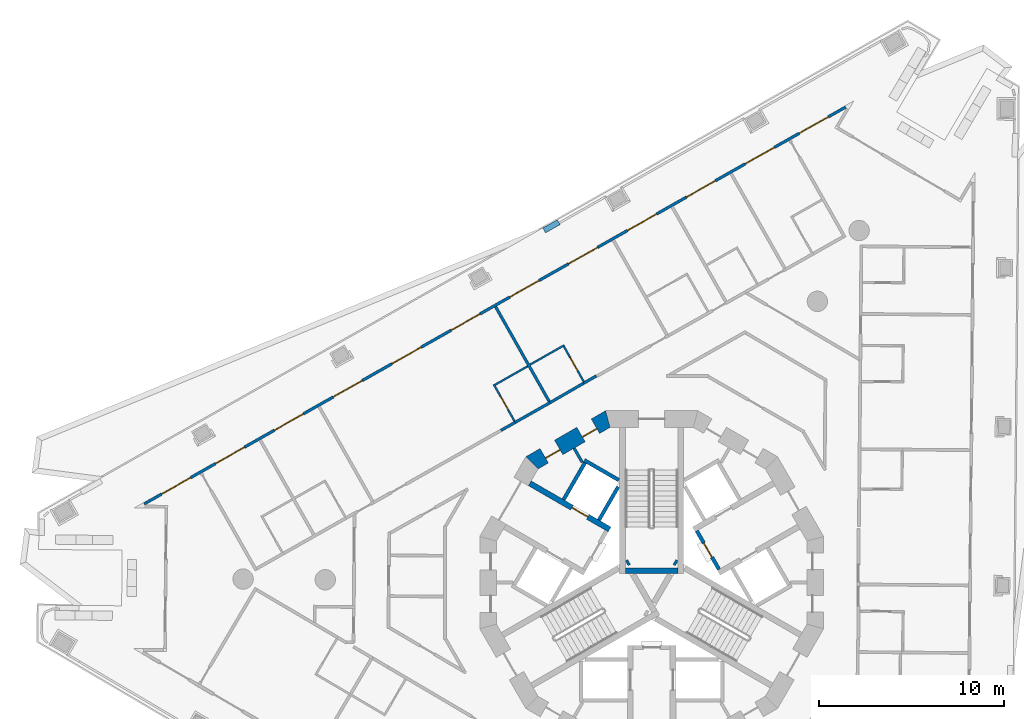
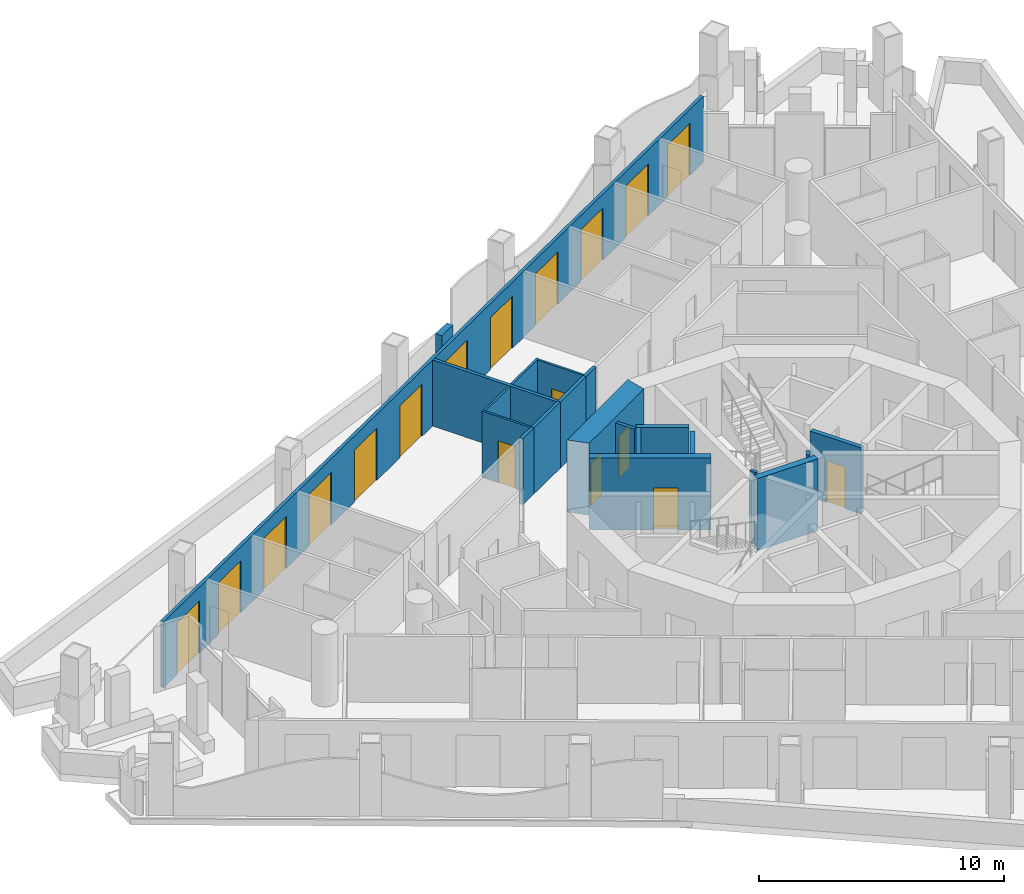
# One storey, part 7 of 18: 21 walls, 18 doors, 18 openings.
"""IFC4 building model written with IfcOpenShell, lengths in metres."""

from ifc_helpers import new_model, si_unit, direction, frame, frame_2d, origin, place, context, subcontext, project, spatial, polyline, rectangle, outline, extrude, material, layer, layer_set, type_object, element, fill, save


model = new_model("IFC4")

# Units and contexts
model_context = context("Model", 3, precision=1e-05, world=origin(), true_north=direction((0.0, 1.0)))
body_context = subcontext(model_context, "Body", "Model", "MODEL_VIEW")
ifc_project = project(units=[si_unit("LENGTHUNIT", "METRE"), si_unit("AREAUNIT", "SQUARE_METRE"), si_unit("VOLUMEUNIT", "CUBIC_METRE"), si_unit("PLANEANGLEUNIT", "RADIAN"), si_unit("MASSUNIT", "GRAM", prefix="KILO")], contexts=[model_context])

# Site, building, storey
site_placement = place(None, origin())
site = spatial("IfcSite", under=ifc_project, at=site_placement, CompositionType="ELEMENT")
building_placement = place(site_placement, origin())
building = spatial("IfcBuilding", under=site, at=building_placement, Name="Trine Commons Tower", CompositionType="ELEMENT")
storey_placement = place(building_placement, frame((0.0, 0.0, 161.10009765625)))
storey = spatial("IfcBuildingStorey", under=building, at=storey_placement, Name="L41", CompositionType="ELEMENT", Elevation=161.10009765625)

# Wall
ifc_material_1 = material(Name="Plasterboard partition on steel studs", Category="steel")
ifc_layer_1 = layer(ifc_material_1, 0.14990234375)
ifc_layer_set_1 = layer_set([ifc_layer_1], Name="Plasterboard partition on steel studs")
wall_type_1 = type_object("IfcWallType", Name="Core room partition 150 mm, EI 60", PredefinedType="PARTITIONING", material=ifc_layer_set_1)
wall_1_placement = place(storey_placement, frame((75.81396484375, 69.7509765625, 0.0), z_axis=(0.0, 0.0, 1.0), x_axis=(0.499890179513, -0.866088799389, 0.0)))
element("IfcWall", 1, at=wall_1_placement, inside=storey, type_object=wall_type_1, Name="Core room partition L41", PredefinedType="PARTITIONING", context=body_context, shape_type="SweptSolid", body=[
    extrude(rectangle(XDim=0.882080078125, YDim=0.14990234375, at=frame_2d((0.44091796875, 0.0))), origin(), (0.0, 0.0, 1.0), 3.2998046875),
])

# Wall, openings, doors
ifc_material_2 = material(Name="Aluminium-framed insulated wall panel", Category="aluminium")
ifc_layer_2 = layer(ifc_material_2, 0.14990234375)
ifc_layer_set_2 = layer_set([ifc_layer_2], Name="Aluminium-framed insulated wall panel")
wall_type_2 = type_object("IfcWallType", Name="Glazed frame wall 150, EI 60", PredefinedType="SOLIDWALL", material=ifc_layer_set_2)
wall_2_placement = place(storey_placement, frame((52.497802734375, 66.67041015625, 0.0), z_axis=(0.0, 0.0, 1.0), x_axis=(0.870354973249, 0.492424837453, 0.0)))
wall_2 = element("IfcWall", 2, at=wall_2_placement, inside=storey, type_object=wall_type_2, Name="Glazed frame wall F1", PredefinedType="SOLIDWALL", context=body_context, shape_type="SweptSolid", body=[
    extrude(outline(polyline([(0.1494140625, 0.074951171875), (0.1494140625, -0.074951171875), (43.616943359375, -0.074951171875), (43.616943359375, 0.074951171875), (0.1494140625, 0.074951171875)])), origin(), (0.0, 0.0, 1.0), 3.2998046875),
])
opening_1_placement = place(wall_2_placement, frame((1.2236328125, 0.0, 0.0)))
opening_1 = element("IfcOpeningElement", 3, at=opening_1_placement, cuts=wall_2, Name="Opening BD-5F1-01", PredefinedType="OPENING", context=body_context, shape_type="SweptSolid", body=[
    extrude(rectangle(XDim=1.800048828125, YDim=2.60009765625, at=frame_2d((0.89990234375, 1.300048828125))), frame((0.0, 0.0849609375, 0.0), z_axis=(0.0, -1.0, 0.0), x_axis=(1.0, 0.0, 0.0)), (0.0, 0.0, 1.0), 0.169921875),
])
opening_2_placement = place(wall_2_placement, frame((4.57080078125, 0.0, 0.0)))
opening_2 = element("IfcOpeningElement", 4, at=opening_2_placement, cuts=wall_2, Name="Opening BD-5F1-02", PredefinedType="OPENING", context=body_context, shape_type="SweptSolid", body=[
    extrude(rectangle(XDim=1.800048828125, YDim=2.60009765625, at=frame_2d((0.89990234375, 1.300048828125))), frame((0.0, 0.0849609375, 0.0), z_axis=(0.0, -1.0, 0.0), x_axis=(1.0, 0.0, 0.0)), (0.0, 0.0, 1.0), 0.169921875),
])
opening_3_placement = place(wall_2_placement, frame((8.218017578125, 0.0, 0.0)))
opening_3 = element("IfcOpeningElement", 5, at=opening_3_placement, cuts=wall_2, Name="Opening BD-5F1-03", PredefinedType="OPENING", context=body_context, shape_type="SweptSolid", body=[
    extrude(rectangle(XDim=1.800048828125, YDim=2.60009765625, at=frame_2d((0.89990234375, 1.300048828125))), frame((0.0, 0.0849609375, 0.0), z_axis=(0.0, -1.0, 0.0), x_axis=(1.0, 0.0, 0.0)), (0.0, 0.0, 1.0), 0.169921875),
])
opening_4_placement = place(wall_2_placement, frame((11.865234375, 0.0, 0.0)))
opening_4 = element("IfcOpeningElement", 6, at=opening_4_placement, cuts=wall_2, Name="Opening BD-5F1-04", PredefinedType="OPENING", context=body_context, shape_type="SweptSolid", body=[
    extrude(rectangle(XDim=1.800048828125, YDim=2.60009765625, at=frame_2d((0.89990234375, 1.300048828125))), frame((0.0, 0.0849609375, 0.0), z_axis=(0.0, -1.0, 0.0), x_axis=(1.0, 0.0, 0.0)), (0.0, 0.0, 1.0), 0.169921875),
])
opening_5_placement = place(wall_2_placement, frame((15.512451171875, 0.0, 0.0)))
opening_5 = element("IfcOpeningElement", 7, at=opening_5_placement, cuts=wall_2, Name="Opening BD-5F1-05", PredefinedType="OPENING", context=body_context, shape_type="SweptSolid", body=[
    extrude(rectangle(XDim=1.800048828125, YDim=2.60009765625, at=frame_2d((0.89990234375, 1.300048828125))), frame((0.0, 0.0849609375, 0.0), z_axis=(0.0, -1.0, 0.0), x_axis=(1.0, 0.0, 0.0)), (0.0, 0.0, 1.0), 0.169921875),
])
opening_6_placement = place(wall_2_placement, frame((19.15966796875, 0.0, 0.0)))
opening_6 = element("IfcOpeningElement", 8, at=opening_6_placement, cuts=wall_2, Name="Opening BD-5F1-06", PredefinedType="OPENING", context=body_context, shape_type="SweptSolid", body=[
    extrude(rectangle(XDim=1.800048828125, YDim=2.60009765625, at=frame_2d((0.89990234375, 1.300048828125))), frame((0.0, 0.0849609375, 0.0), z_axis=(0.0, -1.0, 0.0), x_axis=(1.0, 0.0, 0.0)), (0.0, 0.0, 1.0), 0.169921875),
])
opening_7_placement = place(wall_2_placement, frame((22.806884765625, 0.0, 0.0)))
opening_7 = element("IfcOpeningElement", 9, at=opening_7_placement, cuts=wall_2, Name="Opening BD-5F1-07", PredefinedType="OPENING", context=body_context, shape_type="SweptSolid", body=[
    extrude(rectangle(XDim=1.800048828125, YDim=2.60009765625, at=frame_2d((0.89990234375, 1.300048828125))), frame((0.0, 0.0849609375, 0.0), z_axis=(0.0, -1.0, 0.0), x_axis=(1.0, 0.0, 0.0)), (0.0, 0.0, 1.0), 0.169921875),
])
opening_8_placement = place(wall_2_placement, frame((26.4541015625, 0.0, 0.0)))
opening_8 = element("IfcOpeningElement", 10, at=opening_8_placement, cuts=wall_2, Name="Opening BD-5F1-08", PredefinedType="OPENING", context=body_context, shape_type="SweptSolid", body=[
    extrude(rectangle(XDim=1.800048828125, YDim=2.60009765625, at=frame_2d((0.89990234375, 1.300048828125))), frame((0.0, 0.0849609375, 0.0), z_axis=(0.0, -1.0, 0.0), x_axis=(1.0, 0.0, 0.0)), (0.0, 0.0, 1.0), 0.169921875),
])
opening_9_placement = place(wall_2_placement, frame((30.101318359375, 0.0, 0.0)))
opening_9 = element("IfcOpeningElement", 11, at=opening_9_placement, cuts=wall_2, Name="Opening BD-5F1-09", PredefinedType="OPENING", context=body_context, shape_type="SweptSolid", body=[
    extrude(rectangle(XDim=1.800048828125, YDim=2.60009765625, at=frame_2d((0.89990234375, 1.300048828125))), frame((0.0, 0.0849609375, 0.0), z_axis=(0.0, -1.0, 0.0), x_axis=(1.0, 0.0, 0.0)), (0.0, 0.0, 1.0), 0.169921875),
])
opening_10_placement = place(wall_2_placement, frame((33.748291015625, 0.0, 0.0)))
opening_10 = element("IfcOpeningElement", 12, at=opening_10_placement, cuts=wall_2, Name="Opening BD-5F1-10", PredefinedType="OPENING", context=body_context, shape_type="SweptSolid", body=[
    extrude(rectangle(XDim=1.800048828125, YDim=2.60009765625, at=frame_2d((0.89990234375, 1.300048828125))), frame((0.0, 0.0849609375, 0.0), z_axis=(0.0, -1.0, 0.0), x_axis=(1.0, 0.0, 0.0)), (0.0, 0.0, 1.0), 0.169921875),
])
opening_11_placement = place(wall_2_placement, frame((37.3955078125, 0.0, 0.0)))
opening_11 = element("IfcOpeningElement", 13, at=opening_11_placement, cuts=wall_2, Name="Opening BD-5F1-11", PredefinedType="OPENING", context=body_context, shape_type="SweptSolid", body=[
    extrude(rectangle(XDim=1.800048828125, YDim=2.60009765625, at=frame_2d((0.89990234375, 1.300048828125))), frame((0.0, 0.0849609375, 0.0), z_axis=(0.0, -1.0, 0.0), x_axis=(1.0, 0.0, 0.0)), (0.0, 0.0, 1.0), 0.169921875),
])
opening_12_placement = place(wall_2_placement, frame((40.742919921875, 0.0, 0.0)))
opening_12 = element("IfcOpeningElement", 14, at=opening_12_placement, cuts=wall_2, Name="Opening BD-5F1-12", PredefinedType="OPENING", context=body_context, shape_type="SweptSolid", body=[
    extrude(rectangle(XDim=1.800048828125, YDim=2.60009765625, at=frame_2d((0.89990234375, 1.300048828125))), frame((0.0, 0.0849609375, 0.0), z_axis=(0.0, -1.0, 0.0), x_axis=(1.0, 0.0, 0.0)), (0.0, 0.0, 1.0), 0.169921875),
])
ifc_material_3 = material(Name="Anodised aluminium frame with double glazing", Category="aluminium")
door_type_1 = type_object("IfcDoorType", Name="Sliding loggia door 1800x2600", OperationType="SLIDING_TO_LEFT", PredefinedType="DOOR", material=ifc_material_3)
door_1_placement = place(opening_1_placement, origin())
door_1 = element("IfcDoor", 15, at=door_1_placement, inside=storey, type_object=door_type_1, Name="Loggia door F1 1", OperationType="SLIDING_TO_LEFT", OverallHeight=2.60009765625, OverallWidth=1.800048828125, PredefinedType="DOOR", context=body_context, shape_type="SweptSolid", body=[
    extrude(rectangle(XDim=1.800048828125, YDim=2.60009765625, at=frame_2d((0.89990234375, 1.300048828125))), frame((0.0, 0.02490234375, 0.0), z_axis=(0.0, -1.0, 0.0), x_axis=(1.0, 0.0, 0.0)), (0.0, 0.0, 1.0), 0.050048828125),
])
fill(opening_1, door_1)
door_2_placement = place(opening_2_placement, origin())
door_2 = element("IfcDoor", 16, at=door_2_placement, inside=storey, type_object=door_type_1, Name="Loggia door F1 2", OperationType="SLIDING_TO_LEFT", OverallHeight=2.60009765625, OverallWidth=1.800048828125, PredefinedType="DOOR", context=body_context, shape_type="SweptSolid", body=[
    extrude(rectangle(XDim=1.800048828125, YDim=2.60009765625, at=frame_2d((0.89990234375, 1.300048828125))), frame((0.0, 0.02490234375, 0.0), z_axis=(0.0, -1.0, 0.0), x_axis=(1.0, 0.0, 0.0)), (0.0, 0.0, 1.0), 0.050048828125),
])
fill(opening_2, door_2)
door_3_placement = place(opening_3_placement, origin())
door_3 = element("IfcDoor", 17, at=door_3_placement, inside=storey, type_object=door_type_1, Name="Loggia door F1 3", OperationType="SLIDING_TO_LEFT", OverallHeight=2.60009765625, OverallWidth=1.800048828125, PredefinedType="DOOR", context=body_context, shape_type="SweptSolid", body=[
    extrude(rectangle(XDim=1.800048828125, YDim=2.60009765625, at=frame_2d((0.89990234375, 1.300048828125))), frame((0.0, 0.02490234375, 0.0), z_axis=(0.0, -1.0, 0.0), x_axis=(1.0, 0.0, 0.0)), (0.0, 0.0, 1.0), 0.050048828125),
])
fill(opening_3, door_3)
door_4_placement = place(opening_4_placement, origin())
door_4 = element("IfcDoor", 18, at=door_4_placement, inside=storey, type_object=door_type_1, Name="Loggia door F1 4", OperationType="SLIDING_TO_LEFT", OverallHeight=2.60009765625, OverallWidth=1.800048828125, PredefinedType="DOOR", context=body_context, shape_type="SweptSolid", body=[
    extrude(rectangle(XDim=1.800048828125, YDim=2.60009765625, at=frame_2d((0.89990234375, 1.300048828125))), frame((0.0, 0.02490234375, 0.0), z_axis=(0.0, -1.0, 0.0), x_axis=(1.0, 0.0, 0.0)), (0.0, 0.0, 1.0), 0.050048828125),
])
fill(opening_4, door_4)
door_5_placement = place(opening_5_placement, origin())
door_5 = element("IfcDoor", 19, at=door_5_placement, inside=storey, type_object=door_type_1, Name="Loggia door F1 5", OperationType="SLIDING_TO_LEFT", OverallHeight=2.60009765625, OverallWidth=1.800048828125, PredefinedType="DOOR", context=body_context, shape_type="SweptSolid", body=[
    extrude(rectangle(XDim=1.800048828125, YDim=2.60009765625, at=frame_2d((0.89990234375, 1.300048828125))), frame((0.0, 0.02490234375, 0.0), z_axis=(0.0, -1.0, 0.0), x_axis=(1.0, 0.0, 0.0)), (0.0, 0.0, 1.0), 0.050048828125),
])
fill(opening_5, door_5)
door_6_placement = place(opening_6_placement, origin())
door_6 = element("IfcDoor", 20, at=door_6_placement, inside=storey, type_object=door_type_1, Name="Loggia door F1 6", OperationType="SLIDING_TO_LEFT", OverallHeight=2.60009765625, OverallWidth=1.800048828125, PredefinedType="DOOR", context=body_context, shape_type="SweptSolid", body=[
    extrude(rectangle(XDim=1.800048828125, YDim=2.60009765625, at=frame_2d((0.89990234375, 1.300048828125))), frame((0.0, 0.02490234375, 0.0), z_axis=(0.0, -1.0, 0.0), x_axis=(1.0, 0.0, 0.0)), (0.0, 0.0, 1.0), 0.050048828125),
])
fill(opening_6, door_6)
door_7_placement = place(opening_7_placement, origin())
door_7 = element("IfcDoor", 21, at=door_7_placement, inside=storey, type_object=door_type_1, Name="Loggia door F1 7", OperationType="SLIDING_TO_LEFT", OverallHeight=2.60009765625, OverallWidth=1.800048828125, PredefinedType="DOOR", context=body_context, shape_type="SweptSolid", body=[
    extrude(rectangle(XDim=1.800048828125, YDim=2.60009765625, at=frame_2d((0.89990234375, 1.300048828125))), frame((0.0, 0.02490234375, 0.0), z_axis=(0.0, -1.0, 0.0), x_axis=(1.0, 0.0, 0.0)), (0.0, 0.0, 1.0), 0.050048828125),
])
fill(opening_7, door_7)
door_8_placement = place(opening_8_placement, origin())
door_8 = element("IfcDoor", 22, at=door_8_placement, inside=storey, type_object=door_type_1, Name="Loggia door F1 8", OperationType="SLIDING_TO_LEFT", OverallHeight=2.60009765625, OverallWidth=1.800048828125, PredefinedType="DOOR", context=body_context, shape_type="SweptSolid", body=[
    extrude(rectangle(XDim=1.800048828125, YDim=2.60009765625, at=frame_2d((0.89990234375, 1.300048828125))), frame((0.0, 0.02490234375, 0.0), z_axis=(0.0, -1.0, 0.0), x_axis=(1.0, 0.0, 0.0)), (0.0, 0.0, 1.0), 0.050048828125),
])
fill(opening_8, door_8)
door_9_placement = place(opening_9_placement, origin())
door_9 = element("IfcDoor", 23, at=door_9_placement, inside=storey, type_object=door_type_1, Name="Loggia door F1 9", OperationType="SLIDING_TO_LEFT", OverallHeight=2.60009765625, OverallWidth=1.800048828125, PredefinedType="DOOR", context=body_context, shape_type="SweptSolid", body=[
    extrude(rectangle(XDim=1.800048828125, YDim=2.60009765625, at=frame_2d((0.89990234375, 1.300048828125))), frame((0.0, 0.02490234375, 0.0), z_axis=(0.0, -1.0, 0.0), x_axis=(1.0, 0.0, 0.0)), (0.0, 0.0, 1.0), 0.050048828125),
])
fill(opening_9, door_9)
door_10_placement = place(opening_10_placement, origin())
door_10 = element("IfcDoor", 24, at=door_10_placement, inside=storey, type_object=door_type_1, Name="Loggia door F1 10", OperationType="SLIDING_TO_LEFT", OverallHeight=2.60009765625, OverallWidth=1.800048828125, PredefinedType="DOOR", context=body_context, shape_type="SweptSolid", body=[
    extrude(rectangle(XDim=1.800048828125, YDim=2.60009765625, at=frame_2d((0.89990234375, 1.300048828125))), frame((0.0, 0.02490234375, 0.0), z_axis=(0.0, -1.0, 0.0), x_axis=(1.0, 0.0, 0.0)), (0.0, 0.0, 1.0), 0.050048828125),
])
fill(opening_10, door_10)
door_11_placement = place(opening_11_placement, origin())
door_11 = element("IfcDoor", 25, at=door_11_placement, inside=storey, type_object=door_type_1, Name="Loggia door F1 11", OperationType="SLIDING_TO_LEFT", OverallHeight=2.60009765625, OverallWidth=1.800048828125, PredefinedType="DOOR", context=body_context, shape_type="SweptSolid", body=[
    extrude(rectangle(XDim=1.800048828125, YDim=2.60009765625, at=frame_2d((0.89990234375, 1.300048828125))), frame((0.0, 0.02490234375, 0.0), z_axis=(0.0, -1.0, 0.0), x_axis=(1.0, 0.0, 0.0)), (0.0, 0.0, 1.0), 0.050048828125),
])
fill(opening_11, door_11)
door_12_placement = place(opening_12_placement, origin())
door_12 = element("IfcDoor", 26, at=door_12_placement, inside=storey, type_object=door_type_1, Name="Loggia door F1 12", OperationType="SLIDING_TO_LEFT", OverallHeight=2.60009765625, OverallWidth=1.800048828125, PredefinedType="DOOR", context=body_context, shape_type="SweptSolid", body=[
    extrude(rectangle(XDim=1.800048828125, YDim=2.60009765625, at=frame_2d((0.89990234375, 1.300048828125))), frame((0.0, 0.02490234375, 0.0), z_axis=(0.0, -1.0, 0.0), x_axis=(1.0, 0.0, 0.0)), (0.0, 0.0, 1.0), 0.050048828125),
])
fill(opening_12, door_12)

# Wall, opening, door
ifc_material_4 = material(Name="Fire-rated gypsum shaft wall system")
ifc_layer_3 = layer(ifc_material_4, 0.199951171875)
ifc_layer_set_3 = layer_set([ifc_layer_3], Name="Fire-rated gypsum shaft wall system")
wall_type_3 = type_object("IfcWallType", Name="Lobby end wall 200 mm, EI 120", PredefinedType="PARTITIONING", material=ifc_layer_set_3)
wall_3_placement = place(storey_placement, frame((83.631103515625, 63.2109375, 0.0), z_axis=(0.0, 0.0, 1.0), x_axis=(-0.50012165622, 0.865955154139, 0.0)))
wall_3 = element("IfcWall", 27, at=wall_3_placement, inside=storey, type_object=wall_type_3, Name="Lobby end wall L41", PredefinedType="PARTITIONING", context=body_context, shape_type="SweptSolid", body=[
    extrude(rectangle(XDim=2.39990234375, YDim=0.199951171875, at=frame_2d((1.199951171875, 0.0))), origin(), (0.0, 0.0, 1.0), 3.2998046875),
])
opening_13_placement = place(wall_3_placement, frame((0.749755859375, 0.0, 0.0)))
opening_13 = element("IfcOpeningElement", 28, at=opening_13_placement, cuts=wall_3, Name="Opening K12.05", PredefinedType="OPENING", context=body_context, shape_type="SweptSolid", body=[
    extrude(rectangle(XDim=0.89990234375, YDim=2.10009765625, at=frame_2d((0.449951171875, 1.050048828125))), frame((0.0, 0.10986328125, 0.0), z_axis=(0.0, -1.0, 0.0), x_axis=(1.0, 0.0, 0.0)), (0.0, 0.0, 1.0), 0.219970703125),
])
ifc_material_5 = material(Name="Steel door leaf, fire-rated", Category="steel")
door_type_2 = type_object("IfcDoorType", Name="Riser access door, single leaf 900 x 2100, FD60", OperationType="SINGLE_SWING_LEFT", PredefinedType="DOOR", material=ifc_material_5)
door_13_placement = place(opening_13_placement, frame((0.89990234375, 0.0, 0.0), z_axis=(0.0, 0.0, 1.0), x_axis=(-1.0, 0.0, 0.0)))
door_13 = element("IfcDoor", 29, at=door_13_placement, inside=storey, type_object=door_type_2, Name="Riser door, Electrical riser L41", OperationType="SINGLE_SWING_LEFT", OverallHeight=2.10009765625, OverallWidth=0.89990234375, PredefinedType="DOOR", context=body_context, shape_type="SweptSolid", body=[
    extrude(rectangle(XDim=0.89990234375, YDim=2.10009765625, at=frame_2d((0.449951171875, 1.050048828125))), frame((0.0, 0.02490234375, 0.0), z_axis=(0.0, -1.0, 0.0), x_axis=(1.0, 0.0, 0.0)), (0.0, 0.0, 1.0), 0.050048828125),
])
fill(opening_13, door_13)

ifc_material_6 = material(Name="Concrete C60/75", Category="concrete")
ifc_layer_4 = layer(ifc_material_6, 0.300048828125)
ifc_layer_set_4 = layer_set([ifc_layer_4], Name="Concrete C60/75")
wall_type_4 = type_object("IfcWallType", Name="RC shear wall 300 mm, C60/75", PredefinedType="SHEAR", material=ifc_layer_set_4)
wall_4_placement = place(storey_placement, frame((77.73095703125, 65.368896484375, 0.0), z_axis=(0.0, 0.0, 1.0), x_axis=(-0.865983655544, 0.500072303102, 0.0)))
wall_4 = element("IfcWall", 30, at=wall_4_placement, inside=storey, type_object=wall_type_4, Name="Core cross wall SWB-02 L41", PredefinedType="SHEAR", context=body_context, shape_type="SweptSolid", body=[
    extrude(rectangle(XDim=4.973388671875, YDim=0.300048828125, at=frame_2d((2.48681640625, 0.0))), origin(), (0.0, 0.0, 1.0), 3.599853515625),
])
opening_14_placement = place(wall_4_placement, frame((1.3505859375, 0.0, 0.0)))
opening_14 = element("IfcOpeningElement", 31, at=opening_14_placement, cuts=wall_4, Name="Opening LD8", PredefinedType="OPENING", context=body_context, shape_type="SweptSolid", body=[
    extrude(rectangle(XDim=1.0, YDim=2.10009765625, at=frame_2d((0.5, 1.050048828125))), frame((0.0, 0.159912109375, 0.0), z_axis=(0.0, -1.0, 0.0), x_axis=(1.0, 0.0, 0.0)), (0.0, 0.0, 1.0), 0.320068359375),
])
ifc_material_7 = material(Name="Stainless steel sliding door leaves", Category="steel")
door_type_3 = type_object("IfcDoorType", Name="Lift landing door, centre-opening sliding 1000 x 2100, FD90", OperationType="DOUBLE_DOOR_SLIDING", PredefinedType="DOOR", material=ifc_material_7)
door_14_placement = place(opening_14_placement, origin())
door_14 = element("IfcDoor", 32, at=door_14_placement, inside=storey, type_object=door_type_3, Name="Lift landing door HR4 L41", OperationType="DOUBLE_DOOR_SLIDING", OverallHeight=2.10009765625, OverallWidth=1.0, PredefinedType="DOOR", context=body_context, shape_type="SweptSolid", body=[
    extrude(rectangle(XDim=1.0, YDim=2.10009765625, at=frame_2d((0.5, 1.050048828125))), frame((0.0, 0.02490234375, 0.0), z_axis=(0.0, -1.0, 0.0), x_axis=(1.0, 0.0, 0.0)), (0.0, 0.0, 1.0), 0.050048828125),
])
fill(opening_14, door_14)

# Walls
for number, where, z_axis, x_axis, name in (
    (33, (78.779052734375, 63.614013671875, 0.0), (0.0, 0.0, 1.0), (-0.867737973955, -0.497021939713, 0.0), "Core cross wall SWB-09 L41"),
    (34, (81.220947265625, 63.614013671875, 0.0), (0.0, 0.0, 1.0), (0.867737973955, -0.497021939713, 0.0), "Core cross wall SWB-15 L41"),
):
    element("IfcWall", number, at=place(storey_placement, frame(where, z_axis=z_axis, x_axis=x_axis)), inside=storey, type_object=wall_type_4, Name=name, PredefinedType="SHEAR", context=body_context, shape_type="SweptSolid", body=[
        extrude(rectangle(XDim=0.14892578125, YDim=0.300048828125, at=frame_2d((0.074462890625, 0.0))), origin(), (0.0, 0.0, 1.0), 3.599853515625),
    ])
wall_5_placement = place(storey_placement, frame((81.425048828125, 63.15087890625, 0.0), z_axis=(0.0, 0.0, 1.0), x_axis=(-1.0, 0.0, 0.0)))
element("IfcWall", 35, at=wall_5_placement, inside=storey, type_object=wall_type_4, Name="Core cross wall SWB-16 L41", PredefinedType="SHEAR", context=body_context, shape_type="SweptSolid", body=[
    extrude(rectangle(XDim=2.85009765625, YDim=0.300048828125, at=frame_2d((1.425048828125, 0.0))), origin(), (0.0, 0.0, 1.0), 3.599853515625),
])

# Wall, openings, doors
ifc_layer_5 = layer(ifc_material_6, 0.89990234375)
ifc_layer_set_5 = layer_set([ifc_layer_5], Name="Concrete C60/75")
wall_type_5 = type_object("IfcWallType", Name="RC shear wall 900 mm, C60/75", PredefinedType="SHEAR", material=ifc_layer_set_5)
wall_6_placement = place(storey_placement, frame((77.740234375, 71.38330078125, 0.0), z_axis=(0.0, 0.0, 1.0), x_axis=(-0.866003133579, -0.500038571144, 0.0)))
wall_6 = element("IfcWall", 36, at=wall_6_placement, inside=storey, type_object=wall_type_5, Name="Core wall CWE-05 L41", PredefinedType="SHEAR", context=body_context, shape_type="SweptSolid", body=[
    extrude(outline(polyline([(0.0, -0.449951171875), (4.96923828125, -0.449951171875), (4.72802734375, 0.449951171875), (0.2412109375, 0.449951171875), (0.0, -0.449951171875)])), origin(), (0.0, 0.0, 1.0), 3.599853515625),
])
opening_15_placement = place(wall_6_placement, frame((0.89501953125, 0.0, 0.0)))
opening_15 = element("IfcOpeningElement", 37, at=opening_15_placement, cuts=wall_6, Name="Opening K12.14", PredefinedType="OPENING", context=body_context, shape_type="SweptSolid", body=[
    extrude(rectangle(XDim=0.89990234375, YDim=2.10009765625, at=frame_2d((0.449951171875, 1.050048828125))), frame((0.0, 0.4599609375, 0.0), z_axis=(0.0, -1.0, 0.0), x_axis=(1.0, 0.0, 0.0)), (0.0, 0.0, 1.0), 0.919921875),
])
opening_16_placement = place(wall_6_placement, frame((3.18408203125, 0.0, 0.0)))
opening_16 = element("IfcOpeningElement", 38, at=opening_16_placement, cuts=wall_6, Name="Opening K12.15", PredefinedType="OPENING", context=body_context, shape_type="SweptSolid", body=[
    extrude(rectangle(XDim=0.89990234375, YDim=2.10009765625, at=frame_2d((0.449951171875, 1.050048828125))), frame((0.0, 0.4599609375, 0.0), z_axis=(0.0, -1.0, 0.0), x_axis=(1.0, 0.0, 0.0)), (0.0, 0.0, 1.0), 0.919921875),
])
door_type_4 = type_object("IfcDoorType", Name="Core room door, single leaf 900 x 2100, FD30S", OperationType="SINGLE_SWING_LEFT", PredefinedType="DOOR", material=ifc_material_5)
door_15_placement = place(opening_15_placement, origin())
door_15 = element("IfcDoor", 39, at=door_15_placement, inside=storey, type_object=door_type_4, Name="Door to Cleaner's store L41", OperationType="SINGLE_SWING_LEFT", OverallHeight=2.10009765625, OverallWidth=0.89990234375, PredefinedType="DOOR", context=body_context, shape_type="SweptSolid", body=[
    extrude(rectangle(XDim=0.89990234375, YDim=2.10009765625, at=frame_2d((0.449951171875, 1.050048828125))), frame((0.0, 0.1748046875, 0.0), z_axis=(0.0, -1.0, 0.0), x_axis=(1.0, 0.0, 0.0)), (0.0, 0.0, 1.0), 0.050048828125),
])
fill(opening_15, door_15)
door_16_placement = place(opening_16_placement, origin())
door_16 = element("IfcDoor", 40, at=door_16_placement, inside=storey, type_object=door_type_4, Name="Door to Accessible WC L41", OperationType="SINGLE_SWING_RIGHT", OverallHeight=2.10009765625, OverallWidth=0.89990234375, PredefinedType="DOOR", context=body_context, shape_type="SweptSolid", body=[
    extrude(rectangle(XDim=0.89990234375, YDim=2.10009765625, at=frame_2d((0.449951171875, 1.050048828125))), frame((0.0, 0.1748046875, 0.0), z_axis=(0.0, -1.0, 0.0), x_axis=(1.0, 0.0, 0.0)), (0.0, 0.0, 1.0), 0.050048828125),
])
fill(opening_16, door_16)

# Walls
ifc_layer_6 = layer(ifc_material_4, 0.199951171875)
ifc_layer_set_6 = layer_set([ifc_layer_6], Name="Fire-rated gypsum shaft wall system")
wall_type_6 = type_object("IfcWallType", Name="Shaft wall 200 mm, EI 120", PredefinedType="PARTITIONING", material=ifc_layer_set_6)
wall_7_placement = place(storey_placement, frame((75.2509765625, 66.97412109375, 0.0), z_axis=(0.0, 0.0, 1.0), x_axis=(0.500136062276, 0.86594683394, 0.0)))
element("IfcWall", 41, at=wall_7_placement, inside=storey, type_object=wall_type_6, Name="Shaft wall L41", PredefinedType="PARTITIONING", context=body_context, shape_type="SweptSolid", body=[
    extrude(rectangle(XDim=2.299072265625, YDim=0.199951171875, at=frame_2d((1.1494140625, 0.0))), origin(), (0.0, 0.0, 1.0), 3.2998046875),
])
wall_8_placement = place(storey_placement, frame((77.156005859375, 65.8740234375, 0.0), z_axis=(0.0, 0.0, 1.0), x_axis=(0.499865770674, 0.866102887253, 0.0)))
element("IfcWall", 42, at=wall_8_placement, inside=storey, type_object=wall_type_6, Name="Shaft wall L41", PredefinedType="PARTITIONING", context=body_context, shape_type="SweptSolid", body=[
    extrude(rectangle(XDim=2.064453125, YDim=0.199951171875, at=frame_2d((1.0322265625, 0.0))), origin(), (0.0, 0.0, 1.0), 3.2998046875),
])
wall_9_placement = place(storey_placement, frame((78.22509765625, 68.028076171875, 0.0), z_axis=(0.0, 0.0, 1.0), x_axis=(-0.866130725101, 0.499817533742, 0.0)))
element("IfcWall", 43, at=wall_9_placement, inside=storey, type_object=wall_type_6, Name="Shaft wall L41", PredefinedType="PARTITIONING", context=body_context, shape_type="SweptSolid", body=[
    extrude(rectangle(XDim=2.148681640625, YDim=0.199951171875, at=frame_2d((1.07421875, 0.0))), origin(), (0.0, 0.0, 1.0), 3.2998046875),
])
ifc_material_8 = material(Name="Limestone, honed", Category="masonry")
ifc_layer_7 = layer(ifc_material_8, 0.300048828125)
ifc_layer_set_7 = layer_set([ifc_layer_7], Name="Limestone, honed")
wall_type_7 = type_object("IfcWallType", Name="Stone parapet 300", PredefinedType="PARAPET", material=ifc_layer_set_7)
wall_10_placement = place(storey_placement, origin())
element("IfcWall", 44, at=wall_10_placement, inside=storey, type_object=wall_type_7, Name="Sliver roof parapet extension L40 2.X1", PredefinedType="PARAPET", context=body_context, shape_type="SweptSolid", body=[
    extrude(outline(polyline([(74.126953125, 81.625), (74.274658203125, 81.364013671875), (75.05810546875, 81.806884765625), (74.910400390625, 82.068115234375), (74.8798828125, 82.05078125), (74.126953125, 81.625)])), origin(), (0.0, 0.0, 1.0), 1.099853515625),
])
ifc_material_9 = material(Name="Gypsum plasterboard on steel stud", Category="steel")
ifc_layer_8 = layer(ifc_material_9, 0.14990234375)
ifc_layer_set_8 = layer_set([ifc_layer_8], Name="Gypsum plasterboard on steel stud")
wall_type_8 = type_object("IfcWallType", Name="Unit and corridor wall 150 mm, EI 60", PredefinedType="PARTITIONING", material=ifc_layer_set_8)
wall_11_placement = place(storey_placement, frame((71.580810546875, 77.381103515625, 0.0), z_axis=(0.0, 0.0, 1.0), x_axis=(0.4923790567, -0.870380873252, 0.0)))
element("IfcWall", 45, at=wall_11_placement, inside=storey, type_object=wall_type_8, Name="Partition 045", PredefinedType="PARTITIONING", context=body_context, shape_type="SweptSolid", body=[
    extrude(rectangle(XDim=5.874267578125, YDim=0.14990234375, at=frame_2d((2.93701171875, 0.0))), origin(), (0.0, 0.0, 1.0), 3.2998046875),
])
wall_12_placement = place(storey_placement, frame((71.865966796875, 70.70703125, 0.0), z_axis=(0.0, 0.0, 1.0), x_axis=(0.870501381105, 0.492165973524, 0.0)))
element("IfcWall", 46, at=wall_12_placement, inside=storey, type_object=wall_type_8, Name="Partition 047", PredefinedType="PARTITIONING", context=body_context, shape_type="SweptSolid", body=[
    extrude(rectangle(XDim=0.887939453125, YDim=0.14990234375, at=frame_2d((0.44384765625, 0.0))), origin(), (0.0, 0.0, 1.0), 3.2998046875),
])
wall_13_placement = place(storey_placement, frame((72.638916015625, 71.14404296875, 0.0), z_axis=(0.0, 0.0, 1.0), x_axis=(0.870311041837, 0.492502477615, 0.0)))
element("IfcWall", 47, at=wall_13_placement, inside=storey, type_object=wall_type_8, Name="Partition 048", PredefinedType="PARTITIONING", context=body_context, shape_type="SweptSolid", body=[
    extrude(rectangle(XDim=2.14990234375, YDim=0.14990234375, at=frame_2d((1.074951171875, 0.0))), origin(), (0.0, 0.0, 1.0), 3.2998046875),
])
wall_14_placement = place(storey_placement, frame((74.510009765625, 72.202880859375, 0.0), z_axis=(0.0, 0.0, 1.0), x_axis=(0.865945810508, 0.500137834266, 0.0)))
element("IfcWall", 48, at=wall_14_placement, inside=storey, type_object=wall_type_8, Name="Partition 054", PredefinedType="PARTITIONING", context=body_context, shape_type="SweptSolid", body=[
    extrude(rectangle(XDim=2.15380859375, YDim=0.14990234375, at=frame_2d((1.076904296875, 0.0))), origin(), (0.0, 0.0, 1.0), 3.2998046875),
])
wall_15_placement = place(storey_placement, frame((76.32568359375, 73.2509765625, 0.0), z_axis=(0.0, 0.0, 1.0), x_axis=(0.865924288798, 0.500175095412, 0.0)))
element("IfcWall", 49, at=wall_15_placement, inside=storey, type_object=wall_type_8, Name="Partition 058", PredefinedType="PARTITIONING", context=body_context, shape_type="SweptSolid", body=[
    extrude(rectangle(XDim=0.793701171875, YDim=0.14990234375, at=frame_2d((0.39697265625, 0.0))), origin(), (0.0, 0.0, 1.0), 3.2998046875),
])

# Wall, opening, door
ifc_layer_9 = layer(ifc_material_9, 0.10009765625)
ifc_layer_set_9 = layer_set([ifc_layer_9], Name="Gypsum plasterboard on steel stud")
wall_type_9 = type_object("IfcWallType", Name="Unit partition 100 mm, no rating", PredefinedType="PARTITIONING", material=ifc_layer_set_9)
wall_16_placement = place(storey_placement, frame((71.482421875, 73.189453125, 0.0), z_axis=(0.0, 0.0, 1.0), x_axis=(0.492181026221, -0.870492870406, 0.0)))
wall_16 = element("IfcWall", 50, at=wall_16_placement, inside=storey, type_object=wall_type_9, Name="Partition 043", PredefinedType="PARTITIONING", context=body_context, shape_type="SweptSolid", body=[
    extrude(rectangle(XDim=2.27490234375, YDim=0.10009765625, at=frame_2d((1.137451171875, 0.0))), origin(), (0.0, 0.0, 1.0), 3.2998046875),
])
opening_17_placement = place(wall_16_placement, frame((0.762451171875, 0.0, 0.0)))
opening_17 = element("IfcOpeningElement", 51, at=opening_17_placement, cuts=wall_16, Name="Opening D-5A33", PredefinedType="OPENING", context=body_context, shape_type="SweptSolid", body=[
    extrude(rectangle(XDim=0.800048828125, YDim=2.10009765625, at=frame_2d((0.39990234375, 1.050048828125))), frame((0.0, 0.06005859375, 0.0), z_axis=(0.0, -1.0, 0.0), x_axis=(1.0, 0.0, 0.0)), (0.0, 0.0, 1.0), 0.1201171875),
])
ifc_material_10 = material(Name="Painted timber", Category="wood")
door_type_5 = type_object("IfcDoorType", Name="Internal door 800 x 2100, NOT RATED", OperationType="NOTDEFINED", PredefinedType="DOOR", material=ifc_material_10)
door_17_placement = place(opening_17_placement, frame((0.800048828125, 0.0, 0.0), z_axis=(0.0, 0.0, 1.0), x_axis=(-1.0, 0.0, 0.0)))
door_17 = element("IfcDoor", 52, at=door_17_placement, inside=storey, type_object=door_type_5, Name="Door D-5A33", OperationType="SINGLE_SWING_LEFT", OverallHeight=2.10009765625, OverallWidth=0.800048828125, PredefinedType="DOOR", context=body_context, shape_type="SweptSolid", body=[
    extrude(rectangle(XDim=0.800048828125, YDim=2.10009765625, at=frame_2d((0.39990234375, 1.050048828125))), frame((0.0, 0.02490234375, 0.0), z_axis=(0.0, -1.0, 0.0), x_axis=(1.0, 0.0, 0.0)), (0.0, 0.0, 1.0), 0.050048828125),
])
fill(opening_17, door_17)

# Walls
wall_17_placement = place(storey_placement, frame((71.550537109375, 73.170654296875, 0.0), z_axis=(0.0, 0.0, 1.0), x_axis=(0.87023930122, 0.492629230367, 0.0)))
element("IfcWall", 53, at=wall_17_placement, inside=storey, type_object=wall_type_9, Name="Partition 044", PredefinedType="PARTITIONING", context=body_context, shape_type="SweptSolid", body=[
    extrude(rectangle(XDim=2.02490234375, YDim=0.10009765625, at=frame_2d((1.012451171875, 0.0))), origin(), (0.0, 0.0, 1.0), 3.2998046875),
])
wall_18_placement = place(storey_placement, frame((73.435302734375, 74.255859375, 0.0), z_axis=(0.0, 0.0, 1.0), x_axis=(0.870265219316, 0.492583442726, 0.0)))
element("IfcWall", 54, at=wall_18_placement, inside=storey, type_object=wall_type_9, Name="Partition 052", PredefinedType="PARTITIONING", context=body_context, shape_type="SweptSolid", body=[
    extrude(rectangle(XDim=2.124755859375, YDim=0.10009765625, at=frame_2d((1.0625, 0.0))), origin(), (0.0, 0.0, 1.0), 3.2998046875),
])

# Wall, opening, door
wall_19_placement = place(storey_placement, frame((75.265625, 75.234619140625, 0.0), z_axis=(0.0, 0.0, 1.0), x_axis=(0.492249770031, -0.870453998729, 0.0)))
wall_19 = element("IfcWall", 55, at=wall_19_placement, inside=storey, type_object=wall_type_9, Name="Partition 056", PredefinedType="PARTITIONING", context=body_context, shape_type="SweptSolid", body=[
    extrude(rectangle(XDim=2.1728515625, YDim=0.10009765625, at=frame_2d((1.08642578125, 0.0))), origin(), (0.0, 0.0, 1.0), 3.2998046875),
])
opening_18_placement = place(wall_19_placement, frame((0.686279296875, 0.0, 0.0)))
opening_18 = element("IfcOpeningElement", 56, at=opening_18_placement, cuts=wall_19, Name="Opening D-5A34", PredefinedType="OPENING", context=body_context, shape_type="SweptSolid", body=[
    extrude(rectangle(XDim=0.800048828125, YDim=2.10009765625, at=frame_2d((0.39990234375, 1.050048828125))), frame((0.0, 0.06005859375, 0.0), z_axis=(0.0, -1.0, 0.0), x_axis=(1.0, 0.0, 0.0)), (0.0, 0.0, 1.0), 0.1201171875),
])
door_18_placement = place(opening_18_placement, origin())
door_18 = element("IfcDoor", 57, at=door_18_placement, inside=storey, type_object=door_type_5, Name="Door D-5A34", OperationType="SINGLE_SWING_LEFT", OverallHeight=2.10009765625, OverallWidth=0.800048828125, PredefinedType="DOOR", context=body_context, shape_type="SweptSolid", body=[
    extrude(rectangle(XDim=0.800048828125, YDim=2.10009765625, at=frame_2d((0.39990234375, 1.050048828125))), frame((0.0, 0.02490234375, 0.0), z_axis=(0.0, -1.0, 0.0), x_axis=(1.0, 0.0, 0.0)), (0.0, 0.0, 1.0), 0.050048828125),
])
fill(opening_18, door_18)

save(model, "model.ifc")
